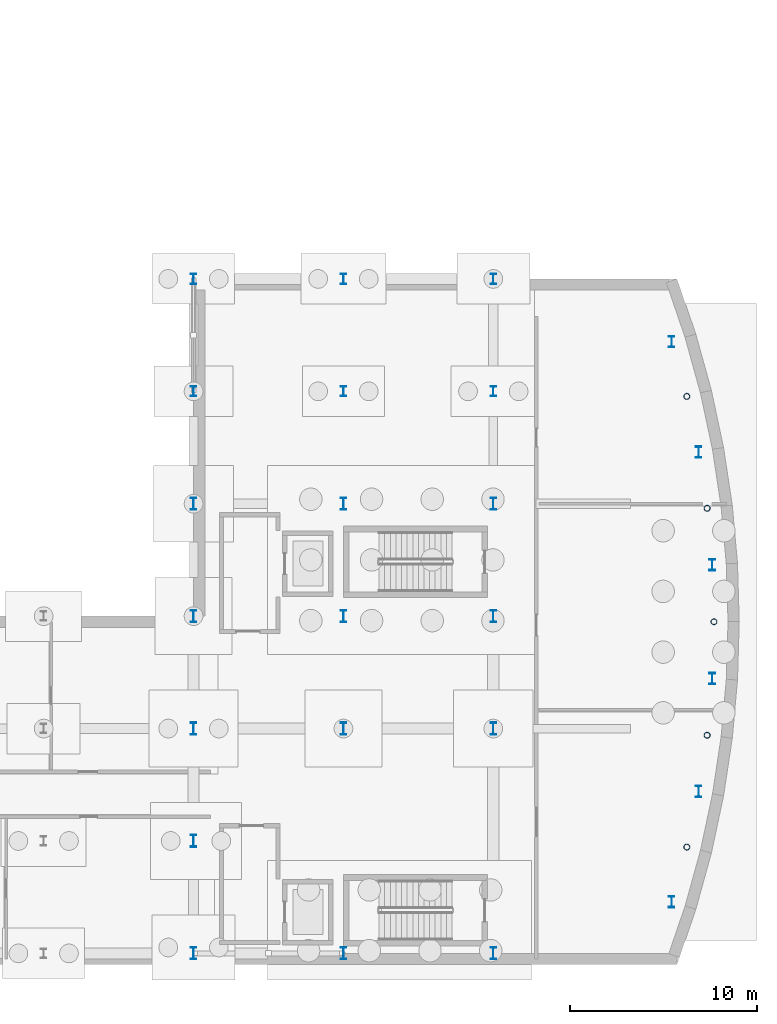
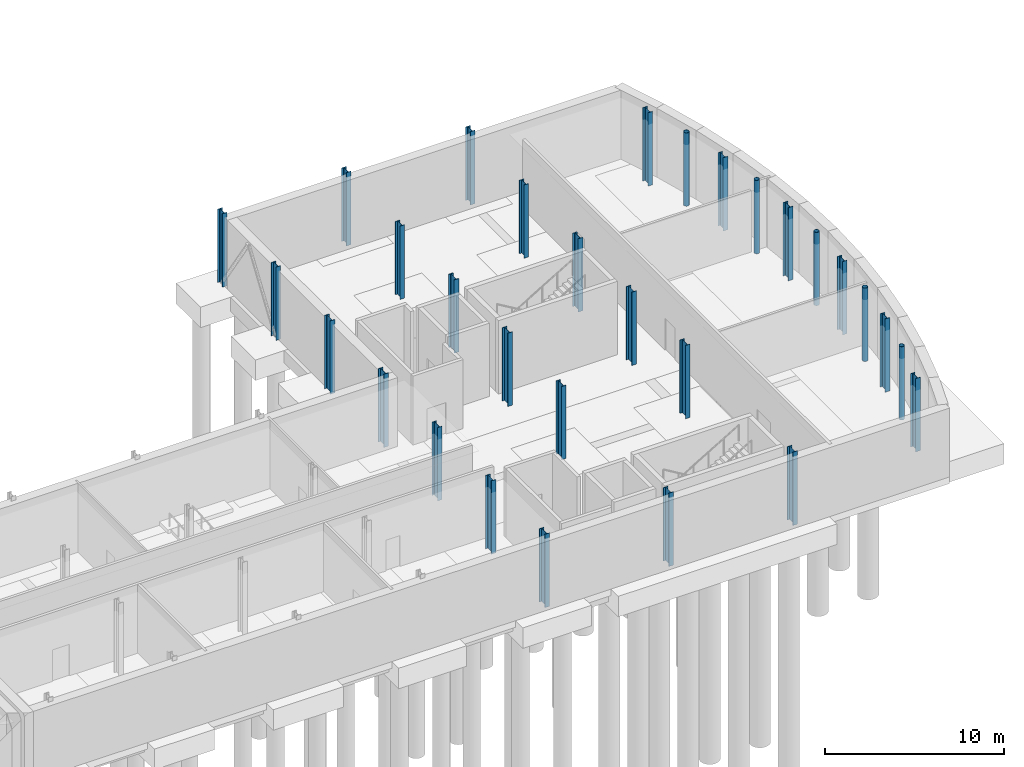
# One storey, part 16 of 47: 30 columns.
"""IFC4 building model written with IfcOpenShell, lengths in metres."""

from ifc_helpers import new_model, si_unit, direction, frame, origin, origin_2d, place, context, subcontext, project, spatial, hollow_circle, i_section, extrude, material, material_profile, profile_set, type_object, element, save


model = new_model("IFC4")

# Units and contexts
model_context = context("Model", 3, precision=1e-05, world=origin(), true_north=direction((0.0, 1.0)))
body_context = subcontext(model_context, "Body", "Model", "MODEL_VIEW")
ifc_project = project(units=[si_unit("LENGTHUNIT", "METRE"), si_unit("AREAUNIT", "SQUARE_METRE"), si_unit("VOLUMEUNIT", "CUBIC_METRE"), si_unit("PLANEANGLEUNIT", "RADIAN"), si_unit("MASSUNIT", "GRAM", prefix="KILO")], contexts=[model_context])

# Site, building, storey
site_placement = place(None, origin())
site = spatial("IfcSite", under=ifc_project, at=site_placement, CompositionType="ELEMENT")
building_placement = place(site_placement, origin())
building = spatial("IfcBuilding", under=site, at=building_placement, Name="Cymarion Research Institute", CompositionType="ELEMENT")
storey_placement = place(building_placement, frame((0.0, 0.0, -5.0)))
storey = spatial("IfcBuildingStorey", under=building, at=storey_placement, Name="B1", CompositionType="ELEMENT", Elevation=-5.0)

# Columns
ifc_material = material(Name="Steel S355", Category="steel")
ifc_material_profile_1 = material_profile(ifc_material, i_section(OverallWidth=0.300048828125, OverallDepth=0.64990234375, WebThickness=0.01611328125, FlangeThickness=0.031005859375, FilletRadius=0.027099609375, at=origin_2d()), Name="HEB 650")
ifc_profile_set_1 = profile_set([ifc_material_profile_1], Name="Steel S355")
column_type_1 = type_object("IfcColumnType", Name="STRUCTURAL COLUMN C01 HEB 650", PredefinedType="COLUMN", material=ifc_profile_set_1)
for number, where, z_axis, x_axis, name in (
    (1, (138.60009765625, 5.5, 0.0), (0.0, 0.0, 1.0), (1.0, 0.0, 0.0), "B1 V1 column C01 #198"),
    (2, (138.60009765625, 11.5, 0.0), (0.0, 0.0, 1.0), (1.0, 0.0, 0.0), "B1 V1 column C01 #199"),
    (3, (138.60009765625, 17.5, 0.0), (0.0, 0.0, 1.0), (1.0, 0.0, 0.0), "B1 V1 column C01 #200"),
    (4, (138.60009765625, 23.5, 0.0), (0.0, 0.0, 1.0), (1.0, 0.0, 0.0), "B1 V1 column C01 #201"),
    (5, (138.60009765625, 29.5, 0.0), (0.0, 0.0, 1.0), (1.0, 0.0, 0.0), "B1 V1 column C01 #202"),
    (6, (146.60009765625, 5.5, 0.0), (0.0, 0.0, 1.0), (1.0, 0.0, 0.0), "B1 V1 column C01 #205"),
    (7, (146.60009765625, 17.5, 0.0), (0.0, 0.0, 1.0), (1.0, 0.0, 0.0), "B1 V1 column C01 #206"),
    (8, (146.60009765625, 23.5, 0.0), (0.0, 0.0, 1.0), (1.0, 0.0, 0.0), "B1 V1 column C01 #207"),
    (9, (146.60009765625, 29.5, 0.0), (0.0, 0.0, 1.0), (1.0, 0.0, 0.0), "B1 V1 column C01 #208"),
    (10, (154.60009765625, 5.5, 0.0), (0.0, 0.0, 1.0), (1.0, 0.0, 0.0), "B1 V1 column C01 #211"),
    (11, (154.60009765625, 17.5, 0.0), (0.0, 0.0, 1.0), (1.0, 0.0, 0.0), "B1 V1 column C01 #212"),
    (12, (154.60009765625, 23.5, 0.0), (0.0, 0.0, 1.0), (1.0, 0.0, 0.0), "B1 V1 column C01 #213"),
    (13, (154.60009765625, 29.5, 0.0), (0.0, 0.0, 1.0), (1.0, 0.0, 0.0), "B1 V1 column C01 #214"),
):
    element("IfcColumn", number, at=place(storey_placement, frame(where, z_axis=z_axis, x_axis=x_axis)), inside=storey, type_object=column_type_1, Name=name, PredefinedType="COLUMN", context=body_context, shape_type="SweptSolid", body=[
        extrude(i_section(OverallWidth=0.300048828125, OverallDepth=0.64990234375, WebThickness=0.01611328125, FlangeThickness=0.031005859375, FilletRadius=0.027099609375, at=origin_2d()), origin(), (0.0, 0.0, 1.0), 5.0),
    ])
ifc_material_profile_2 = material_profile(ifc_material, i_section(OverallWidth=0.300048828125, OverallDepth=0.60009765625, WebThickness=0.015380859375, FlangeThickness=0.030029296875, FilletRadius=0.027099609375, at=origin_2d()), Name="HEB 600")
ifc_profile_set_2 = profile_set([ifc_material_profile_2], Name="Steel S355")
column_type_2 = type_object("IfcColumnType", Name="STRUCTURAL COLUMN C02 HEB 600", PredefinedType="COLUMN", material=ifc_profile_set_2)
for number, where, z_axis, x_axis, name in (
    (14, (164.118896484375, 8.2470703125, 0.0), (0.0, 0.0, 1.0), (1.0, 0.0, 0.0), "B1 V1 column C02 #217"),
    (15, (164.118896484375, 38.153076171875, 0.0), (0.0, 0.0, 1.0), (1.0, 0.0, 0.0), "B1 V1 column C02 #218"),
    (16, (165.559814453125, 14.1416015625, 0.0), (0.0, 0.0, 1.0), (1.0, 0.0, 0.0), "B1 V1 column C02 #221"),
    (17, (165.559814453125, 32.258544921875, 0.0), (0.0, 0.0, 1.0), (1.0, 0.0, 0.0), "B1 V1 column C02 #222"),
    (18, (166.285400390625, 20.166015625, 0.0), (0.0, 0.0, 1.0), (1.0, 0.0, 0.0), "B1 V1 column C02 #225"),
    (19, (166.285400390625, 26.23388671875, 0.0), (0.0, 0.0, 1.0), (1.0, 0.0, 0.0), "B1 V1 column C02 #226"),
):
    element("IfcColumn", number, at=place(storey_placement, frame(where, z_axis=z_axis, x_axis=x_axis)), inside=storey, type_object=column_type_2, Name=name, PredefinedType="COLUMN", context=body_context, shape_type="SweptSolid", body=[
        extrude(i_section(OverallWidth=0.300048828125, OverallDepth=0.60009765625, WebThickness=0.015380859375, FlangeThickness=0.030029296875, FilletRadius=0.027099609375, at=origin_2d()), origin(), (0.0, 0.0, 1.0), 5.0),
    ])
ifc_material_profile_3 = material_profile(ifc_material, i_section(OverallWidth=0.300048828125, OverallDepth=0.550048828125, WebThickness=0.014892578125, FlangeThickness=0.029052734375, FilletRadius=0.027099609375, at=origin_2d()), Name="HEB 550")
ifc_profile_set_3 = profile_set([ifc_material_profile_3], Name="Steel S355")
column_type_3 = type_object("IfcColumnType", Name="STRUCTURAL COLUMN C03 HEB 550", PredefinedType="COLUMN", material=ifc_profile_set_3)
for number, where, z_axis, x_axis, name in (
    (20, (138.60009765625, 35.5, 0.0), (0.0, 0.0, 1.0), (1.0, 0.0, 0.0), "B1 V1 column C03 #203"),
    (21, (138.60009765625, 41.5, 0.0), (0.0, 0.0, 1.0), (1.0, 0.0, 0.0), "B1 V1 column C03 #204"),
    (22, (146.60009765625, 35.5, 0.0), (0.0, 0.0, 1.0), (1.0, 0.0, 0.0), "B1 V1 column C03 #209"),
    (23, (146.60009765625, 41.5, 0.0), (0.0, 0.0, 1.0), (1.0, 0.0, 0.0), "B1 V1 column C03 #210"),
    (24, (154.60009765625, 35.5, 0.0), (0.0, 0.0, 1.0), (1.0, 0.0, 0.0), "B1 V1 column C03 #215"),
    (25, (154.60009765625, 41.5, 0.0), (0.0, 0.0, 1.0), (1.0, 0.0, 0.0), "B1 V1 column C03 #216"),
):
    element("IfcColumn", number, at=place(storey_placement, frame(where, z_axis=z_axis, x_axis=x_axis)), inside=storey, type_object=column_type_3, Name=name, PredefinedType="COLUMN", context=body_context, shape_type="SweptSolid", body=[
        extrude(i_section(OverallWidth=0.300048828125, OverallDepth=0.550048828125, WebThickness=0.014892578125, FlangeThickness=0.029052734375, FilletRadius=0.027099609375, at=origin_2d()), origin(), (0.0, 0.0, 1.0), 5.0),
    ])
ifc_material_profile_4 = material_profile(ifc_material, hollow_circle(Radius=0.161865234375, WallThickness=0.01611328125, at=origin_2d()), Name="CHS 323.9x16")
ifc_profile_set_4 = profile_set([ifc_material_profile_4], Name="Steel S355")
column_type_4 = type_object("IfcColumnType", Name="STRUCTURAL COLUMN C16 CHS 323.9x16", PredefinedType="COLUMN", material=ifc_profile_set_4)
for number, where, z_axis, x_axis, name in (
    (26, (164.927734375, 11.172607421875, 0.0), (0.0, 0.0, 1.0), (1.0, 0.0, 0.0), "B1 V1 column C16 #219"),
    (27, (164.927734375, 35.227294921875, 0.0), (0.0, 0.0, 1.0), (1.0, 0.0, 0.0), "B1 V1 column C16 #220"),
    (28, (166.012939453125, 17.142822265625, 0.0), (0.0, 0.0, 1.0), (1.0, 0.0, 0.0), "B1 V1 column C16 #223"),
    (29, (166.012939453125, 29.257080078125, 0.0), (0.0, 0.0, 1.0), (1.0, 0.0, 0.0), "B1 V1 column C16 #224"),
    (30, (166.37646484375, 23.199951171875, 0.0), (0.0, 0.0, 1.0), (1.0, 0.0, 0.0), "B1 V1 column C16 #227"),
):
    element("IfcColumn", number, at=place(storey_placement, frame(where, z_axis=z_axis, x_axis=x_axis)), inside=storey, type_object=column_type_4, Name=name, PredefinedType="COLUMN", context=body_context, shape_type="SweptSolid", body=[
        extrude(hollow_circle(Radius=0.161865234375, WallThickness=0.01611328125, at=origin_2d()), origin(), (0.0, 0.0, 1.0), 5.0),
    ])

save(model, "model.ifc")
